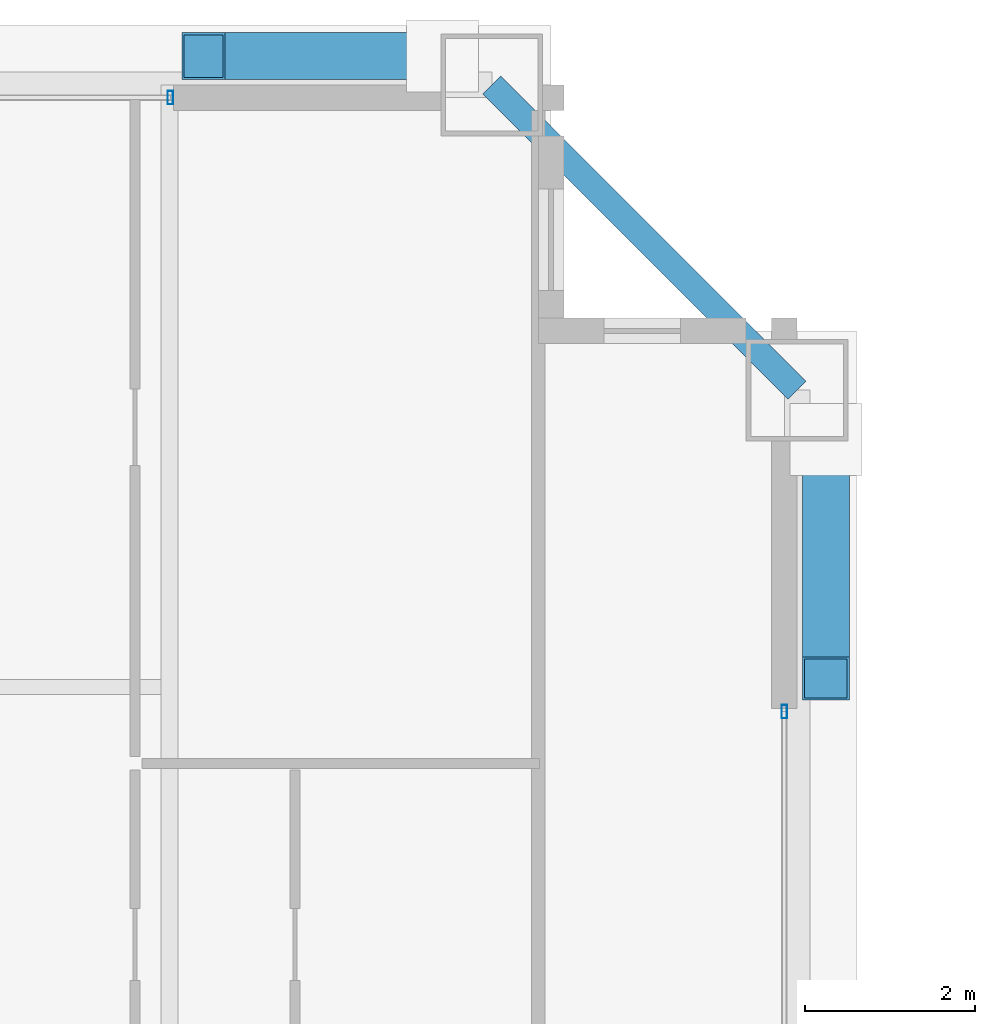
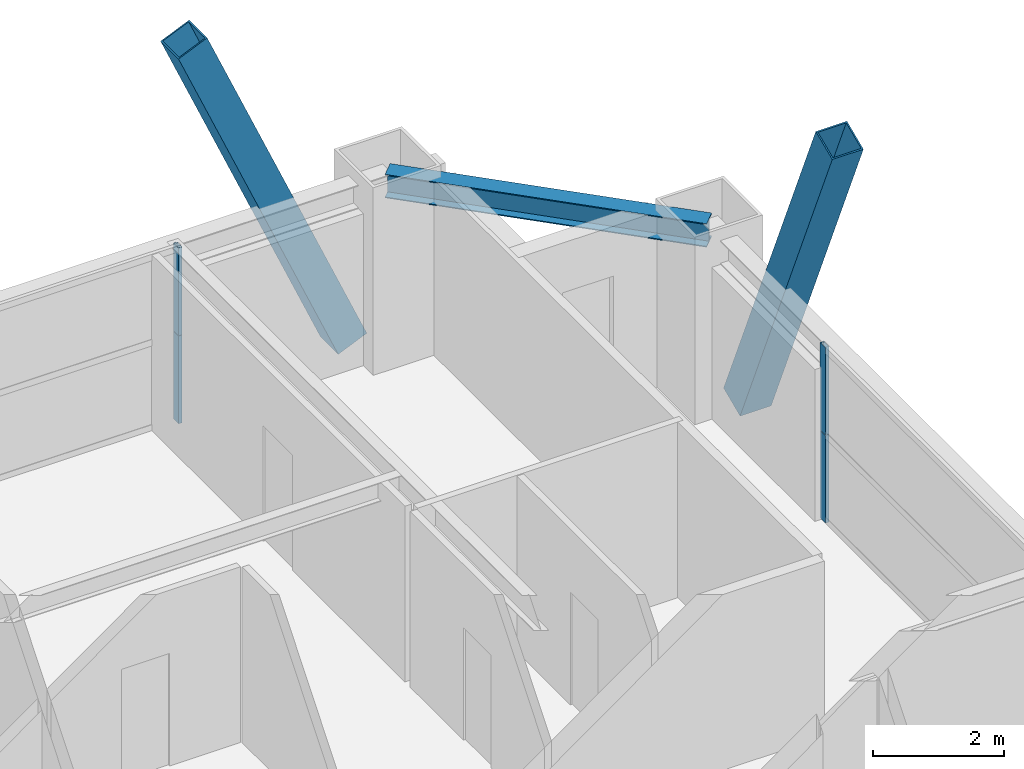
# One storey, part 28 of 35: 6 members, 1 beam, 2 elements without a shape of their own.
"""IFC4 building model written with IfcOpenShell, lengths in metres."""

from ifc_helpers import new_model, si_unit, direction, frame, origin, origin_2d, place, context, subcontext, project, spatial, hollow_rectangle, i_section, extrude, source, transform, mapped, material, layer, layer_set, material_profile, profile_set, type_object, element, aggregate, save


model = new_model("IFC4")

# Units and contexts
model_context = context("Model", 3, precision=1e-05, world=origin(), true_north=direction((0.0, 1.0)))
body_context = subcontext(model_context, "Body", "Model", "MODEL_VIEW")
ifc_project = project(units=[si_unit("LENGTHUNIT", "METRE"), si_unit("AREAUNIT", "SQUARE_METRE"), si_unit("VOLUMEUNIT", "CUBIC_METRE"), si_unit("PLANEANGLEUNIT", "RADIAN"), si_unit("MASSUNIT", "GRAM", prefix="KILO"), si_unit("THERMODYNAMICTEMPERATUREUNIT", "KELVIN"), si_unit("POWERUNIT", "WATT")], contexts=[model_context])

# Site, building, storey
site_placement = place(None, origin())
site = spatial("IfcSite", under=ifc_project, at=site_placement, CompositionType="ELEMENT")
building_placement = place(site_placement, origin())
building = spatial("IfcBuilding", under=site, at=building_placement, Name="Yuzanri Waterfront Tower", CompositionType="ELEMENT")
storey_placement = place(building_placement, frame((0.0, 0.0, 248.60009765625)))
storey = spatial("IfcBuildingStorey", under=building, at=storey_placement, Name="L66", CompositionType="ELEMENT", Elevation=248.60009765625)

# Beam
ifc_material_1 = material(Name="Steel Q355B", Category="steel")
ifc_material_profile_1 = material_profile(ifc_material_1, i_section(OverallWidth=0.300048828125, OverallDepth=0.43994140625, WebThickness=0.010986328125, FlangeThickness=0.01806640625, at=origin_2d()), Name="HM 440x300x11x18")
ifc_profile_set_1 = profile_set([ifc_material_profile_1], Name="Steel Q355B")
beam_type = type_object("IfcBeamType", Name="Perimeter Spandrel Q355B HM 440x300", PredefinedType="SPANDREL", material=ifc_profile_set_1)
shared_shape_1 = source(origin(), body_context, "Body", "SweptSolid", [
    extrude(i_section(OverallWidth=0.300048828125, OverallDepth=0.43994140625, WebThickness=0.010986328125, FlangeThickness=0.01806640625, at=origin_2d()), origin(), (0.0, 0.0, 1.0), 5.091064453125),
])
beam_placement = place(storey_placement, frame((57.60009765625, 42.800048828125, 3.059814453125), z_axis=(-0.707130757816, 0.707082803744, 0.0), x_axis=(-0.707082803744, -0.707130757816, 0.0)))
element("IfcBeam", 1, at=beam_placement, inside=storey, type_object=beam_type, Name="L66 Perimeter Spandrel E3-N3", PredefinedType="SPANDREL", context=body_context, shape_type="MappedRepresentation", body=[
    mapped(shared_shape_1, transform((0.0, 0.0, 0.0), scale=1.0)),
])

# Members
ifc_material_2 = material(Name="Steel Q390GJC", Category="steel")
ifc_material_profile_2 = material_profile(ifc_material_2, hollow_rectangle(XDim=0.550048828125, YDim=0.550048828125, WallThickness=0.02490234375, at=origin_2d()), Name="RHS 550x550x25")
ifc_profile_set_2 = profile_set([ifc_material_profile_2], Name="Steel Q390GJC")
member_type_1 = type_object("IfcMemberType", Name="Mega Brace Mid Q390GJC RHS 550x550x25", PredefinedType="BRACE", material=ifc_profile_set_2)
shared_shape_2 = source(origin(), body_context, "Body", "SweptSolid", [
    extrude(hollow_rectangle(XDim=0.550048828125, YDim=0.550048828125, WallThickness=0.02490234375, at=origin_2d()), origin(), (0.0, 0.0, 1.0), 7.085205078125),
])
member_1_placement = place(storey_placement, frame((53.419921875, 46.739990234375, 0.179931640625), z_axis=(-0.397982599681, 0.0, 0.917392963975), x_axis=(0.0, -1.0, 0.0)))
element("IfcMember", 2, at=member_1_placement, inside=storey, type_object=member_type_1, Name="L66-L67 Perimeter Mega-Brace N-R", PredefinedType="BRACE", context=body_context, shape_type="MappedRepresentation", body=[
    mapped(shared_shape_2, transform((0.0, 0.0, 0.0), scale=1.0)),
])
shared_shape_3 = source(origin(), body_context, "Body", "SweptSolid", [
    extrude(hollow_rectangle(XDim=0.550048828125, YDim=0.550048828125, WallThickness=0.02490234375, at=origin_2d()), origin(), (0.0, 0.0, 1.0), 7.08544921875),
])
member_2_placement = place(storey_placement, frame((57.93994140625, 42.219970703125, 0.179931640625), z_axis=(0.0, -0.398011598745, 0.917380383082), x_axis=(1.0, 0.0, 0.0)))
element("IfcMember", 3, at=member_2_placement, inside=storey, type_object=member_type_1, Name="L66-L67 Perimeter Mega-Brace E-R", PredefinedType="BRACE", context=body_context, shape_type="MappedRepresentation", body=[
    mapped(shared_shape_3, transform((0.0, 0.0, 0.0), scale=1.0)),
])

# Curtain wall, members
ifc_material_3 = material(Name="Anodized Architectural Bronze", Category="metal")
ifc_layer = layer(ifc_material_3, 0.159912109375)
ifc_layer_set = layer_set([ifc_layer], Name="Anodized Architectural Bronze")
curtain_wall_type = type_object("IfcCurtainWallType", Name="Anodized Bronze Mid-Rise Residential Acoustic Unitized Curtain Wall 7200", PredefinedType="NOTDEFINED", material=ifc_layer_set)
curtain_wall_1_placement = place(storey_placement, origin())
curtain_wall_1 = element("IfcCurtainWall", 4, at=curtain_wall_1_placement, inside=storey, type_object=curtain_wall_type, Name="L66 Curtain Wall CW-L66-NR", PredefinedType="NOTDEFINED")
ifc_material_4 = material(Name="Anodized Architectural Bronze", Category="metal")
ifc_material_profile_3 = material_profile(ifc_material_4, hollow_rectangle(XDim=0.06494140625, YDim=0.159912109375, WallThickness=0.00341796875, at=origin_2d()), Name="CWM 65x160")
ifc_profile_set_3 = profile_set([ifc_material_profile_3], Name="Anodized Architectural Bronze")
member_type_2 = type_object("IfcMemberType", Name="Anodized Bronze Upper-Zone Curtain-Wall Mullion 65x160", PredefinedType="MULLION", material=ifc_profile_set_3)
shared_shape_4 = source(origin(), body_context, "Body", "SweptSolid", [
    extrude(hollow_rectangle(XDim=0.06494140625, YDim=0.159912109375, WallThickness=0.00341796875, at=origin_2d()), origin(), (0.0, 0.0, 1.0), 1.637939453125),
])
member_3_placement = place(storey_placement, frame((50.2099609375, 46.25, 0.0), z_axis=(0.0, 0.0, 1.0), x_axis=(1.0, 0.0, 0.0)))
member_3 = element("IfcMember", 5, at=member_3_placement, type_object=member_type_2, Name="CW-L66-NR Lower Mullion 02", PredefinedType="MULLION", context=body_context, shape_type="MappedRepresentation", body=[
    mapped(shared_shape_4, transform((0.0, 0.0, 0.0), scale=1.0)),
])
member_4_placement = place(storey_placement, frame((50.2099609375, 46.25, 1.641845703125), z_axis=(0.0, 0.0, 1.0), x_axis=(1.0, 0.0, 0.0)))
member_4 = element("IfcMember", 6, at=member_4_placement, type_object=member_type_2, Name="CW-L66-NR Upper Mullion 02", PredefinedType="MULLION", context=body_context, shape_type="MappedRepresentation", body=[
    mapped(shared_shape_4, transform((0.0, 0.0, 0.0), scale=1.0)),
])
aggregate(curtain_wall_1, [member_3, member_4])

curtain_wall_2_placement = place(storey_placement, origin())
curtain_wall_2 = element("IfcCurtainWall", 7, at=curtain_wall_2_placement, inside=storey, type_object=curtain_wall_type, Name="L66 Curtain Wall CW-L66-ER", PredefinedType="NOTDEFINED")
member_5_placement = place(storey_placement, frame((57.449951171875, 39.010009765625, 0.0), z_axis=(0.0, 0.0, 1.0), x_axis=(1.0, 0.0, 0.0)))
member_5 = element("IfcMember", 8, at=member_5_placement, type_object=member_type_2, Name="CW-L66-ER Lower Mullion 02", PredefinedType="MULLION", context=body_context, shape_type="MappedRepresentation", body=[
    mapped(shared_shape_4, transform((0.0, 0.0, 0.0), scale=1.0)),
])
member_6_placement = place(storey_placement, frame((57.449951171875, 39.010009765625, 1.641845703125), z_axis=(0.0, 0.0, 1.0), x_axis=(1.0, 0.0, 0.0)))
member_6 = element("IfcMember", 9, at=member_6_placement, type_object=member_type_2, Name="CW-L66-ER Upper Mullion 02", PredefinedType="MULLION", context=body_context, shape_type="MappedRepresentation", body=[
    mapped(shared_shape_4, transform((0.0, 0.0, 0.0), scale=1.0)),
])
aggregate(curtain_wall_2, [member_5, member_6])

save(model, "model.ifc")
